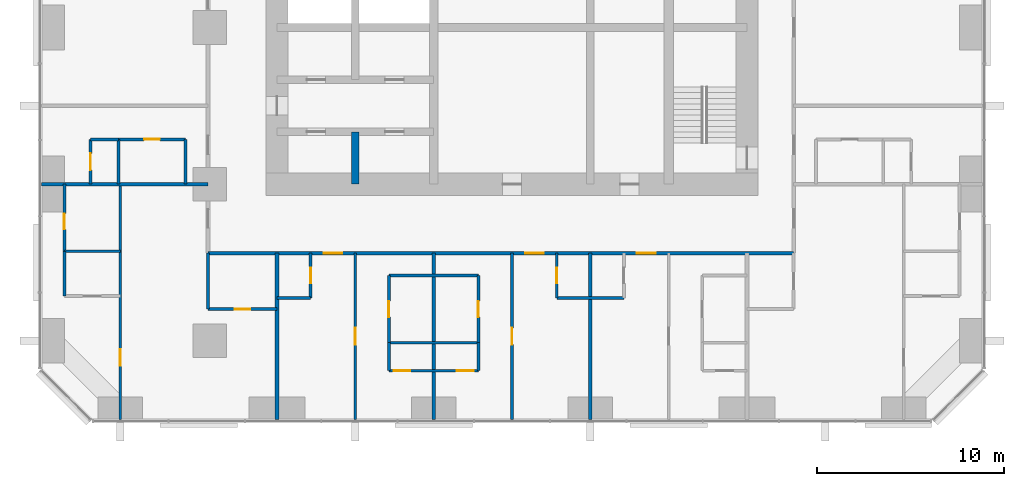
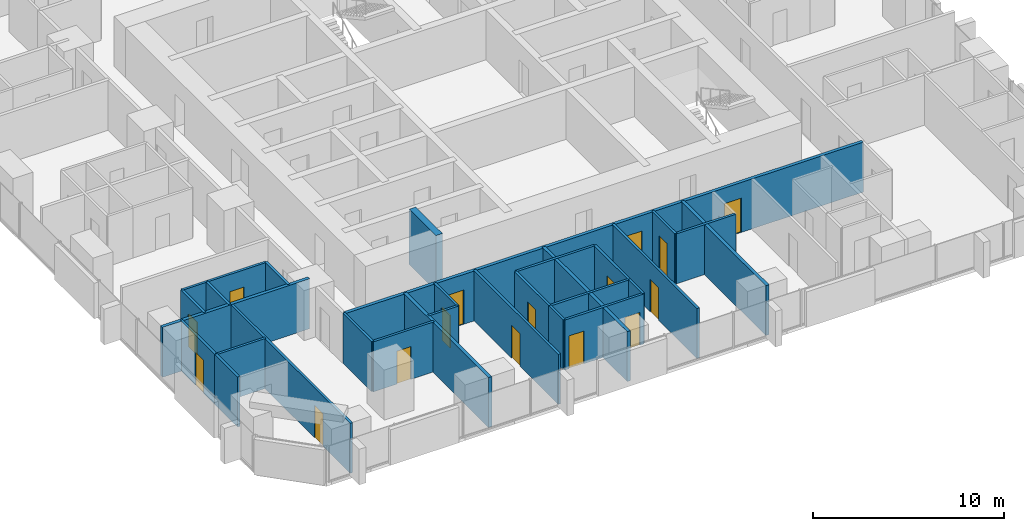
# One storey, part 8 of 13: 30 walls, 16 doors, 16 openings.
"""IFC4 building model written with IfcOpenShell, lengths in metres."""

from ifc_helpers import new_model, si_unit, direction, frame, frame_2d, origin, place, context, subcontext, project, spatial, rectangle, extrude, material, layer, layer_set, type_object, element, fill, save


model = new_model("IFC4")

# Units and contexts
model_context = context("Model", 3, precision=1e-05, world=origin(), true_north=direction((0.0, 1.0)))
body_context = subcontext(model_context, "Body", "Model", "MODEL_VIEW")
ifc_project = project(units=[si_unit("LENGTHUNIT", "METRE"), si_unit("AREAUNIT", "SQUARE_METRE"), si_unit("VOLUMEUNIT", "CUBIC_METRE"), si_unit("PLANEANGLEUNIT", "RADIAN"), si_unit("MASSUNIT", "GRAM", prefix="KILO")], contexts=[model_context])

# Site, building, storey
site_placement = place(None, origin())
site = spatial("IfcSite", under=ifc_project, at=site_placement, CompositionType="ELEMENT")
building_placement = place(site_placement, origin())
building = spatial("IfcBuilding", under=site, at=building_placement, Name="Dunama Terrace Hotel", CompositionType="ELEMENT")
storey_placement = place(building_placement, frame((0.0, 0.0, 216.60009765625)))
storey = spatial("IfcBuildingStorey", under=building, at=storey_placement, Name="L56", CompositionType="ELEMENT", Elevation=216.60009765625)

# Wall, opening, door
ifc_material_1 = material(Name="Gypsum board partition", Category="masonry")
ifc_layer_1 = layer(ifc_material_1, 0.14990234375)
ifc_layer_set_1 = layer_set([ifc_layer_1], Name="Bathroom partition 150")
wall_type_1 = type_object("IfcWallType", Name="Bathroom partition 150", PredefinedType="PARTITIONING", material=ifc_layer_set_1)
wall_1_placement = place(storey_placement, frame((5.39990234375, 13.199951171875, 0.0), z_axis=(0.0, 0.0, 1.0), x_axis=(0.0, 1.0, 0.0)))
wall_1 = element("IfcWall", 1, at=wall_1_placement, inside=storey, type_object=wall_type_1, Name="Bathroom partition 150 L56", PredefinedType="PARTITIONING", context=body_context, shape_type="SweptSolid", body=[
    extrude(rectangle(XDim=3.60009765625, YDim=0.14990234375, at=frame_2d((1.800048828125, 0.0))), origin(), (0.0, 0.0, 1.0), 3.199951171875),
])
opening_1_placement = place(wall_1_placement, frame((1.175048828125, 0.0, 0.0)))
opening_1 = element("IfcOpeningElement", 2, at=opening_1_placement, cuts=wall_1, Name="Opening L56-051", PredefinedType="OPENING", context=body_context, shape_type="SweptSolid", body=[
    extrude(rectangle(XDim=0.85009765625, YDim=2.10009765625, at=frame_2d((0.425048828125, 1.050048828125))), frame((0.0, 0.0849609375, 0.0), z_axis=(0.0, -1.0, 0.0), x_axis=(1.0, 0.0, 0.0)), (0.0, 0.0, 1.0), 0.169921875),
])
ifc_material_2 = material(Name="Timber door with steel frame", Category="steel")
door_type_1 = type_object("IfcDoorType", Name="Bathroom door 850", OperationType="SINGLE_SWING_LEFT", PredefinedType="DOOR", material=ifc_material_2)
door_1_placement = place(opening_1_placement, frame((0.85009765625, 0.0, 0.0), z_axis=(0.0, 0.0, 1.0), x_axis=(-1.0, 0.0, 0.0)))
door_1 = element("IfcDoor", 3, at=door_1_placement, inside=storey, type_object=door_type_1, Name="Door to en-suite bathroom L56-051, type D2", OperationType="SINGLE_SWING_LEFT", OverallHeight=2.10009765625, OverallWidth=0.85009765625, PredefinedType="DOOR", context=body_context, shape_type="SweptSolid", body=[
    extrude(rectangle(XDim=0.85009765625, YDim=2.10009765625, at=frame_2d((0.425048828125, 1.050048828125))), frame((0.0, 0.025146484375, 0.0), z_axis=(0.0, -1.0, 0.0), x_axis=(1.0, 0.0, 0.0)), (0.0, 0.0, 1.0), 0.050048828125),
])
fill(opening_1, door_1)

# Walls
wall_2_placement = place(storey_placement, frame((11.89990234375, 16.800048828125, 0.0), z_axis=(0.0, 0.0, 1.0), x_axis=(0.0, 1.0, 0.0)))
element("IfcWall", 4, at=wall_2_placement, inside=storey, type_object=wall_type_1, Name="Bathroom partition 150 L56", PredefinedType="PARTITIONING", context=body_context, shape_type="SweptSolid", body=[
    extrude(rectangle(XDim=2.39990234375, YDim=0.14990234375, at=frame_2d((1.199951171875, 0.0))), origin(), (0.0, 0.0, 1.0), 3.199951171875),
])
wall_3_placement = place(storey_placement, frame((13.10009765625, 10.10009765625, 0.0), z_axis=(0.0, 0.0, 1.0), x_axis=(0.0, 1.0, 0.0)))
element("IfcWall", 5, at=wall_3_placement, inside=storey, type_object=wall_type_1, Name="Bathroom partition 150 L56", PredefinedType="PARTITIONING", context=body_context, shape_type="SweptSolid", body=[
    extrude(rectangle(XDim=3.0, YDim=0.14990234375, at=frame_2d((1.5, 0.0))), origin(), (0.0, 0.0, 1.0), 3.199951171875),
])

# Wall, opening, door
wall_4_placement = place(storey_placement, frame((18.60009765625, 10.699951171875, 0.0), z_axis=(0.0, 0.0, 1.0), x_axis=(0.0, 1.0, 0.0)))
wall_4 = element("IfcWall", 6, at=wall_4_placement, inside=storey, type_object=wall_type_1, Name="Bathroom partition 150 L56", PredefinedType="PARTITIONING", context=body_context, shape_type="SweptSolid", body=[
    extrude(rectangle(XDim=2.400146484375, YDim=0.14990234375, at=frame_2d((1.2001953125, 0.0))), origin(), (0.0, 0.0, 1.0), 3.199951171875),
])
opening_2_placement = place(wall_4_placement, frame((0.77490234375, 0.0, 0.0)))
opening_2 = element("IfcOpeningElement", 7, at=opening_2_placement, cuts=wall_4, Name="Opening L56-010", PredefinedType="OPENING", context=body_context, shape_type="SweptSolid", body=[
    extrude(rectangle(XDim=0.85009765625, YDim=2.10009765625, at=frame_2d((0.425048828125, 1.050048828125))), frame((0.0, 0.0849609375, 0.0), z_axis=(0.0, -1.0, 0.0), x_axis=(1.0, 0.0, 0.0)), (0.0, 0.0, 1.0), 0.169921875),
])
door_2_placement = place(opening_2_placement, origin())
door_2 = element("IfcDoor", 8, at=door_2_placement, inside=storey, type_object=door_type_1, Name="Door to powder room L56-010, type D2", OperationType="SINGLE_SWING_RIGHT", OverallHeight=2.10009765625, OverallWidth=0.85009765625, PredefinedType="DOOR", context=body_context, shape_type="SweptSolid", body=[
    extrude(rectangle(XDim=0.85009765625, YDim=2.10009765625, at=frame_2d((0.425048828125, 1.050048828125))), frame((0.0, 0.02490234375, 0.0), z_axis=(0.0, -1.0, 0.0), x_axis=(1.0, 0.0, 0.0)), (0.0, 0.0, 1.0), 0.050048828125),
])
fill(opening_2, door_2)

wall_5_placement = place(storey_placement, frame((22.800048828125, 8.300048828125, 0.0), z_axis=(0.0, 0.0, 1.0), x_axis=(0.0, 1.0, 0.0)))
wall_5 = element("IfcWall", 9, at=wall_5_placement, inside=storey, type_object=wall_type_1, Name="Bathroom partition 150 L56", PredefinedType="PARTITIONING", context=body_context, shape_type="SweptSolid", body=[
    extrude(rectangle(XDim=3.599853515625, YDim=0.14990234375, at=frame_2d((1.7998046875, 0.0))), origin(), (0.0, 0.0, 1.0), 3.199951171875),
])
opening_3_placement = place(wall_5_placement, frame((1.375, 0.0, 0.0)))
opening_3 = element("IfcOpeningElement", 10, at=opening_3_placement, cuts=wall_5, Name="Opening L56-012", PredefinedType="OPENING", context=body_context, shape_type="SweptSolid", body=[
    extrude(rectangle(XDim=0.85009765625, YDim=2.10009765625, at=frame_2d((0.425048828125, 1.050048828125))), frame((0.0, 0.0849609375, 0.0), z_axis=(0.0, -1.0, 0.0), x_axis=(1.0, 0.0, 0.0)), (0.0, 0.0, 1.0), 0.169921875),
])
door_3_placement = place(opening_3_placement, frame((0.85009765625, 0.0, 0.0), z_axis=(0.0, 0.0, 1.0), x_axis=(-1.0, 0.0, 0.0)))
door_3 = element("IfcDoor", 11, at=door_3_placement, inside=storey, type_object=door_type_1, Name="Door to en-suite bathroom L56-012, type D2", OperationType="SINGLE_SWING_RIGHT", OverallHeight=2.10009765625, OverallWidth=0.85009765625, PredefinedType="DOOR", context=body_context, shape_type="SweptSolid", body=[
    extrude(rectangle(XDim=0.85009765625, YDim=2.10009765625, at=frame_2d((0.425048828125, 1.050048828125))), frame((0.0, 0.025146484375, 0.0), z_axis=(0.0, -1.0, 0.0), x_axis=(1.0, 0.0, 0.0)), (0.0, 0.0, 1.0), 0.050048828125),
])
fill(opening_3, door_3)

wall_6_placement = place(storey_placement, frame((27.60009765625, 8.300048828125, 0.0), z_axis=(0.0, 0.0, 1.0), x_axis=(0.0, 1.0, 0.0)))
wall_6 = element("IfcWall", 12, at=wall_6_placement, inside=storey, type_object=wall_type_1, Name="Bathroom partition 150 L56", PredefinedType="PARTITIONING", context=body_context, shape_type="SweptSolid", body=[
    extrude(rectangle(XDim=3.599853515625, YDim=0.14990234375, at=frame_2d((1.7998046875, 0.0))), origin(), (0.0, 0.0, 1.0), 3.199951171875),
])
opening_4_placement = place(wall_6_placement, frame((1.375, 0.0, 0.0)))
opening_4 = element("IfcOpeningElement", 13, at=opening_4_placement, cuts=wall_6, Name="Opening L56-017", PredefinedType="OPENING", context=body_context, shape_type="SweptSolid", body=[
    extrude(rectangle(XDim=0.85009765625, YDim=2.10009765625, at=frame_2d((0.425048828125, 1.050048828125))), frame((0.0, 0.0849609375, 0.0), z_axis=(0.0, -1.0, 0.0), x_axis=(1.0, 0.0, 0.0)), (0.0, 0.0, 1.0), 0.169921875),
])
door_4_placement = place(opening_4_placement, origin())
door_4 = element("IfcDoor", 14, at=door_4_placement, inside=storey, type_object=door_type_1, Name="Door to en-suite bathroom L56-017, type D2", OperationType="SINGLE_SWING_LEFT", OverallHeight=2.10009765625, OverallWidth=0.85009765625, PredefinedType="DOOR", context=body_context, shape_type="SweptSolid", body=[
    extrude(rectangle(XDim=0.85009765625, YDim=2.10009765625, at=frame_2d((0.425048828125, 1.050048828125))), frame((0.0, 0.02490234375, 0.0), z_axis=(0.0, -1.0, 0.0), x_axis=(1.0, 0.0, 0.0)), (0.0, 0.0, 1.0), 0.050048828125),
])
fill(opening_4, door_4)

wall_7_placement = place(storey_placement, frame((31.800048828125, 10.699951171875, 0.0), z_axis=(0.0, 0.0, 1.0), x_axis=(0.0, 1.0, 0.0)))
wall_7 = element("IfcWall", 15, at=wall_7_placement, inside=storey, type_object=wall_type_1, Name="Bathroom partition 150 L56", PredefinedType="PARTITIONING", context=body_context, shape_type="SweptSolid", body=[
    extrude(rectangle(XDim=2.400146484375, YDim=0.14990234375, at=frame_2d((1.2001953125, 0.0))), origin(), (0.0, 0.0, 1.0), 3.199951171875),
])
opening_5_placement = place(wall_7_placement, frame((0.77490234375, 0.0, 0.0)))
opening_5 = element("IfcOpeningElement", 16, at=opening_5_placement, cuts=wall_7, Name="Opening L56-015", PredefinedType="OPENING", context=body_context, shape_type="SweptSolid", body=[
    extrude(rectangle(XDim=0.85009765625, YDim=2.10009765625, at=frame_2d((0.425048828125, 1.050048828125))), frame((0.0, 0.0849609375, 0.0), z_axis=(0.0, -1.0, 0.0), x_axis=(1.0, 0.0, 0.0)), (0.0, 0.0, 1.0), 0.169921875),
])
door_5_placement = place(opening_5_placement, frame((0.85009765625, 0.0, 0.0), z_axis=(0.0, 0.0, 1.0), x_axis=(-1.0, 0.0, 0.0)))
door_5 = element("IfcDoor", 17, at=door_5_placement, inside=storey, type_object=door_type_1, Name="Door to powder room L56-015, type D2", OperationType="SINGLE_SWING_LEFT", OverallHeight=2.10009765625, OverallWidth=0.85009765625, PredefinedType="DOOR", context=body_context, shape_type="SweptSolid", body=[
    extrude(rectangle(XDim=0.85009765625, YDim=2.10009765625, at=frame_2d((0.425048828125, 1.050048828125))), frame((0.0, 0.025146484375, 0.0), z_axis=(0.0, -1.0, 0.0), x_axis=(1.0, 0.0, 0.0)), (0.0, 0.0, 1.0), 0.050048828125),
])
fill(opening_5, door_5)

wall_8_placement = place(storey_placement, frame((13.10009765625, 10.10009765625, 0.0), z_axis=(0.0, 0.0, 1.0), x_axis=(1.0, 0.0, 0.0)))
wall_8 = element("IfcWall", 18, at=wall_8_placement, inside=storey, type_object=wall_type_1, Name="Bathroom partition 150 L56", PredefinedType="PARTITIONING", context=body_context, shape_type="SweptSolid", body=[
    extrude(rectangle(XDim=3.699951171875, YDim=0.14990234375, at=frame_2d((1.85009765625, 0.0))), origin(), (0.0, 0.0, 1.0), 3.199951171875),
])
opening_6_placement = place(wall_8_placement, frame((1.425048828125, 0.0, 0.0)))
opening_6 = element("IfcOpeningElement", 19, at=opening_6_placement, cuts=wall_8, Name="Opening L56-049", PredefinedType="OPENING", context=body_context, shape_type="SweptSolid", body=[
    extrude(rectangle(XDim=0.85009765625, YDim=2.10009765625, at=frame_2d((0.425048828125, 1.050048828125))), frame((0.0, 0.0849609375, 0.0), z_axis=(0.0, -1.0, 0.0), x_axis=(1.0, 0.0, 0.0)), (0.0, 0.0, 1.0), 0.169921875),
])
door_6_placement = place(opening_6_placement, origin())
door_6 = element("IfcDoor", 20, at=door_6_placement, inside=storey, type_object=door_type_1, Name="Door to powder room L56-049, type D2", OperationType="SINGLE_SWING_LEFT", OverallHeight=2.10009765625, OverallWidth=0.85009765625, PredefinedType="DOOR", context=body_context, shape_type="SweptSolid", body=[
    extrude(rectangle(XDim=0.85009765625, YDim=2.10009765625, at=frame_2d((0.425048828125, 1.050048828125))), frame((0.0, 0.02490234375, 0.0), z_axis=(0.0, -1.0, 0.0), x_axis=(1.0, 0.0, 0.0)), (0.0, 0.0, 1.0), 0.050048828125),
])
fill(opening_6, door_6)

# Walls
wall_9_placement = place(storey_placement, frame((16.800048828125, 10.699951171875, 0.0), z_axis=(0.0, 0.0, 1.0), x_axis=(1.0, 0.0, 0.0)))
element("IfcWall", 21, at=wall_9_placement, inside=storey, type_object=wall_type_1, Name="Bathroom partition 150 L56", PredefinedType="PARTITIONING", context=body_context, shape_type="SweptSolid", body=[
    extrude(rectangle(XDim=1.800048828125, YDim=0.14990234375, at=frame_2d((0.89990234375, 0.0))), origin(), (0.0, 0.0, 1.0), 3.199951171875),
])
wall_10_placement = place(storey_placement, frame((31.800048828125, 10.699951171875, 0.0), z_axis=(0.0, 0.0, 1.0), x_axis=(1.0, 0.0, 0.0)))
element("IfcWall", 22, at=wall_10_placement, inside=storey, type_object=wall_type_1, Name="Bathroom partition 150 L56", PredefinedType="PARTITIONING", context=body_context, shape_type="SweptSolid", body=[
    extrude(rectangle(XDim=3.599853515625, YDim=0.14990234375, at=frame_2d((1.7998046875, 0.0))), origin(), (0.0, 0.0, 1.0), 3.199951171875),
])
wall_11_placement = place(storey_placement, frame((22.800048828125, 11.89990234375, 0.0), z_axis=(0.0, 0.0, 1.0), x_axis=(1.0, 0.0, 0.0)))
element("IfcWall", 23, at=wall_11_placement, inside=storey, type_object=wall_type_1, Name="Bathroom partition 150 L56", PredefinedType="PARTITIONING", context=body_context, shape_type="SweptSolid", body=[
    extrude(rectangle(XDim=4.800048828125, YDim=0.14990234375, at=frame_2d((2.39990234375, 0.0))), origin(), (0.0, 0.0, 1.0), 3.199951171875),
])

# Wall, opening, door
wall_12_placement = place(storey_placement, frame((8.300048828125, 19.199951171875, 0.0), z_axis=(0.0, 0.0, 1.0), x_axis=(1.0, 0.0, 0.0)))
wall_12 = element("IfcWall", 24, at=wall_12_placement, inside=storey, type_object=wall_type_1, Name="Bathroom partition 150 L56", PredefinedType="PARTITIONING", context=body_context, shape_type="SweptSolid", body=[
    extrude(rectangle(XDim=3.599853515625, YDim=0.14990234375, at=frame_2d((1.7998046875, 0.0))), origin(), (0.0, 0.0, 1.0), 3.199951171875),
])
opening_7_placement = place(wall_12_placement, frame((1.375, 0.0, 0.0)))
opening_7 = element("IfcOpeningElement", 25, at=opening_7_placement, cuts=wall_12, Name="Opening L56-037", PredefinedType="OPENING", context=body_context, shape_type="SweptSolid", body=[
    extrude(rectangle(XDim=0.85009765625, YDim=2.10009765625, at=frame_2d((0.425048828125, 1.050048828125))), frame((0.0, 0.0849609375, 0.0), z_axis=(0.0, -1.0, 0.0), x_axis=(1.0, 0.0, 0.0)), (0.0, 0.0, 1.0), 0.169921875),
])
door_7_placement = place(opening_7_placement, frame((0.85009765625, 0.0, 0.0), z_axis=(0.0, 0.0, 1.0), x_axis=(-1.0, 0.0, 0.0)))
door_7 = element("IfcDoor", 26, at=door_7_placement, inside=storey, type_object=door_type_1, Name="Door to en-suite bathroom L56-037, type D2", OperationType="SINGLE_SWING_RIGHT", OverallHeight=2.10009765625, OverallWidth=0.85009765625, PredefinedType="DOOR", context=body_context, shape_type="SweptSolid", body=[
    extrude(rectangle(XDim=0.85009765625, YDim=2.10009765625, at=frame_2d((0.425048828125, 1.050048828125))), frame((0.0, 0.025146484375, 0.0), z_axis=(0.0, -1.0, 0.0), x_axis=(1.0, 0.0, 0.0)), (0.0, 0.0, 1.0), 0.050048828125),
])
fill(opening_7, door_7)

# Wall
ifc_material_3 = material(Name="Concrete C50/60", Category="concrete")
ifc_layer_2 = layer(ifc_material_3, 0.39990234375)
ifc_layer_set_2 = layer_set([ifc_layer_2], Name="Core inner wall 400")
wall_type_2 = type_object("IfcWallType", Name="Core inner wall 400", PredefinedType="SHEAR", material=ifc_layer_set_2)
wall_13_placement = place(storey_placement, frame((21.0, 16.800048828125, -0.35009765625), z_axis=(0.0, 0.0, 1.0), x_axis=(0.0, 1.0, 0.0)))
element("IfcWall", 27, at=wall_13_placement, inside=storey, type_object=wall_type_2, Name="Core inner wall 400 L56", PredefinedType="SHEAR", context=body_context, shape_type="SweptSolid", body=[
    extrude(rectangle(XDim=2.800048828125, YDim=0.39990234375, at=frame_2d((1.39990234375, 0.0))), origin(), (0.0, 0.0, 1.0), 3.550048828125),
])

# Wall, openings, doors
ifc_material_4 = material(Name="Concrete blockwork", Category="masonry")
ifc_layer_3 = layer(ifc_material_4, 0.199951171875)
ifc_layer_set_3 = layer_set([ifc_layer_3], Name="Corridor partition 200")
wall_type_3 = type_object("IfcWallType", Name="Corridor partition 200", PredefinedType="PARTITIONING", material=ifc_layer_set_3)
wall_14_placement = place(storey_placement, frame((44.5, 13.10009765625, 0.0), z_axis=(0.0, 0.0, 1.0), x_axis=(-1.0, 0.0, 0.0)))
wall_14 = element("IfcWall", 28, at=wall_14_placement, inside=storey, type_object=wall_type_3, Name="Corridor partition 200 L56", PredefinedType="PARTITIONING", context=body_context, shape_type="SweptSolid", body=[
    extrude(rectangle(XDim=31.39990234375, YDim=0.199951171875, at=frame_2d((15.699951171875, 0.0))), origin(), (0.0, 0.0, 1.0), 3.199951171875),
])
opening_8_placement = place(wall_14_placement, frame((24.199951171875, 0.0, 0.0)))
opening_8 = element("IfcOpeningElement", 29, at=opening_8_placement, cuts=wall_14, Name="Opening L56-009", PredefinedType="OPENING", context=body_context, shape_type="SweptSolid", body=[
    extrude(rectangle(XDim=1.0, YDim=2.199951171875, at=frame_2d((0.5, 1.10009765625))), frame((0.0, 0.10986328125, 0.0), z_axis=(0.0, -1.0, 0.0), x_axis=(1.0, 0.0, 0.0)), (0.0, 0.0, 1.0), 0.219970703125),
])
opening_9_placement = place(wall_14_placement, frame((13.39990234375, 0.0, 0.0)))
opening_9 = element("IfcOpeningElement", 30, at=opening_9_placement, cuts=wall_14, Name="Opening L56-014", PredefinedType="OPENING", context=body_context, shape_type="SweptSolid", body=[
    extrude(rectangle(XDim=1.0, YDim=2.199951171875, at=frame_2d((0.5, 1.10009765625))), frame((0.0, 0.10986328125, 0.0), z_axis=(0.0, -1.0, 0.0), x_axis=(1.0, 0.0, 0.0)), (0.0, 0.0, 1.0), 0.219970703125),
])
opening_10_placement = place(wall_14_placement, frame((7.39990234375, 0.0, 0.0)))
opening_10 = element("IfcOpeningElement", 31, at=opening_10_placement, cuts=wall_14, Name="Opening L56-019", PredefinedType="OPENING", context=body_context, shape_type="SweptSolid", body=[
    extrude(rectangle(XDim=1.0, YDim=2.199951171875, at=frame_2d((0.5, 1.10009765625))), frame((0.0, 0.10986328125, 0.0), z_axis=(0.0, -1.0, 0.0), x_axis=(1.0, 0.0, 0.0)), (0.0, 0.0, 1.0), 0.219970703125),
])
ifc_material_5 = material(Name="Timber door with steel frame", Category="steel")
door_type_2 = type_object("IfcDoorType", Name="Guest room door 1000", OperationType="SINGLE_SWING_LEFT", PredefinedType="DOOR", material=ifc_material_5)
door_8_placement = place(opening_8_placement, origin())
door_8 = element("IfcDoor", 32, at=door_8_placement, inside=storey, type_object=door_type_2, Name="Door to executive club suite living room L56-009, type D1", OperationType="SINGLE_SWING_LEFT", OverallHeight=2.199951171875, OverallWidth=1.0, PredefinedType="DOOR", context=body_context, shape_type="SweptSolid", body=[
    extrude(rectangle(XDim=1.0, YDim=2.199951171875, at=frame_2d((0.5, 1.10009765625))), frame((0.0, 0.02490234375, 0.0), z_axis=(0.0, -1.0, 0.0), x_axis=(1.0, 0.0, 0.0)), (0.0, 0.0, 1.0), 0.050048828125),
])
fill(opening_8, door_8)
door_9_placement = place(opening_9_placement, origin())
door_9 = element("IfcDoor", 33, at=door_9_placement, inside=storey, type_object=door_type_2, Name="Door to executive club suite living room L56-014, type D1", OperationType="SINGLE_SWING_LEFT", OverallHeight=2.199951171875, OverallWidth=1.0, PredefinedType="DOOR", context=body_context, shape_type="SweptSolid", body=[
    extrude(rectangle(XDim=1.0, YDim=2.199951171875, at=frame_2d((0.5, 1.10009765625))), frame((0.0, 0.02490234375, 0.0), z_axis=(0.0, -1.0, 0.0), x_axis=(1.0, 0.0, 0.0)), (0.0, 0.0, 1.0), 0.050048828125),
])
fill(opening_9, door_9)
door_10_placement = place(opening_10_placement, origin())
door_10 = element("IfcDoor", 34, at=door_10_placement, inside=storey, type_object=door_type_2, Name="Door to executive club suite living room L56-019, type D1", OperationType="SINGLE_SWING_LEFT", OverallHeight=2.199951171875, OverallWidth=1.0, PredefinedType="DOOR", context=body_context, shape_type="SweptSolid", body=[
    extrude(rectangle(XDim=1.0, YDim=2.199951171875, at=frame_2d((0.5, 1.10009765625))), frame((0.0, 0.02490234375, 0.0), z_axis=(0.0, -1.0, 0.0), x_axis=(1.0, 0.0, 0.0)), (0.0, 0.0, 1.0), 0.050048828125),
])
fill(opening_10, door_10)

# Walls
ifc_material_6 = material(Name="Concrete blockwork", Category="masonry")
ifc_layer_4 = layer(ifc_material_6, 0.199951171875)
ifc_layer_set_4 = layer_set([ifc_layer_4], Name="Party wall 200")
wall_type_4 = type_object("IfcWallType", Name="Party wall 200", PredefinedType="PARTITIONING", material=ifc_layer_set_4)
for number, where, z_axis, x_axis, name in (
    (35, (16.800048828125, 4.181884765625, 0.0), (0.0, 0.0, 1.0), (0.0, 1.0, 0.0), "Party wall 200 L56"),
    (36, (25.199951171875, 4.181884765625, 0.0), (0.0, 0.0, 1.0), (0.0, 1.0, 0.0), "Party wall 200 L56"),
    (37, (33.60009765625, 4.181884765625, 0.0), (0.0, 0.0, 1.0), (0.0, 1.0, 0.0), "Party wall 200 L56"),
    (38, (4.181884765625, 16.800048828125, 0.0), (0.0, 0.0, 1.0), (1.0, 0.0, 0.0), "Party wall 200 L56"),
):
    element("IfcWall", number, at=place(storey_placement, frame(where, z_axis=z_axis, x_axis=x_axis)), inside=storey, type_object=wall_type_4, Name=name, PredefinedType="PARTITIONING", context=body_context, shape_type="SweptSolid", body=[
        extrude(rectangle(XDim=8.918212890625, YDim=0.199951171875, at=frame_2d((4.458984375, 0.0))), origin(), (0.0, 0.0, 1.0), 3.199951171875),
    ])
ifc_material_7 = material(Name="Gypsum board partition", Category="masonry")
ifc_layer_5 = layer(ifc_material_7, 0.14990234375)
ifc_layer_set_5 = layer_set([ifc_layer_5], Name="Room partition 150")
wall_type_5 = type_object("IfcWallType", Name="Room partition 150", PredefinedType="PARTITIONING", material=ifc_layer_set_5)
wall_15_placement = place(storey_placement, frame((5.39990234375, 10.800048828125, 0.0), z_axis=(0.0, 0.0, 1.0), x_axis=(0.0, 1.0, 0.0)))
element("IfcWall", 39, at=wall_15_placement, inside=storey, type_object=wall_type_5, Name="Room partition 150 L56", PredefinedType="PARTITIONING", context=body_context, shape_type="SweptSolid", body=[
    extrude(rectangle(XDim=2.39990234375, YDim=0.14990234375, at=frame_2d((1.199951171875, 0.0))), origin(), (0.0, 0.0, 1.0), 3.199951171875),
])

# Wall, opening, door
wall_16_placement = place(storey_placement, frame((6.800048828125, 16.800048828125, 0.0), z_axis=(0.0, 0.0, 1.0), x_axis=(0.0, 1.0, 0.0)))
wall_16 = element("IfcWall", 40, at=wall_16_placement, inside=storey, type_object=wall_type_5, Name="Room partition 150 L56", PredefinedType="PARTITIONING", context=body_context, shape_type="SweptSolid", body=[
    extrude(rectangle(XDim=2.39990234375, YDim=0.14990234375, at=frame_2d((1.199951171875, 0.0))), origin(), (0.0, 0.0, 1.0), 3.199951171875),
])
opening_11_placement = place(wall_16_placement, frame((0.75, 0.0, 0.0)))
opening_11 = element("IfcOpeningElement", 41, at=opening_11_placement, cuts=wall_16, Name="Opening L56-038", PredefinedType="OPENING", context=body_context, shape_type="SweptSolid", body=[
    extrude(rectangle(XDim=0.89990234375, YDim=2.10009765625, at=frame_2d((0.449951171875, 1.050048828125))), frame((0.0, 0.0849609375, 0.0), z_axis=(0.0, -1.0, 0.0), x_axis=(1.0, 0.0, 0.0)), (0.0, 0.0, 1.0), 0.169921875),
])
ifc_material_8 = material(Name="Timber door with steel frame", Category="steel")
door_type_3 = type_object("IfcDoorType", Name="Suite internal door 900", OperationType="SINGLE_SWING_LEFT", PredefinedType="DOOR", material=ifc_material_8)
door_11_placement = place(opening_11_placement, frame((0.89990234375, 0.0, 0.0), z_axis=(0.0, 0.0, 1.0), x_axis=(-1.0, 0.0, 0.0)))
door_11 = element("IfcDoor", 42, at=door_11_placement, inside=storey, type_object=door_type_3, Name="Door to walk-in wardrobe L56-038, type D16", OperationType="SINGLE_SWING_RIGHT", OverallHeight=2.10009765625, OverallWidth=0.89990234375, PredefinedType="DOOR", context=body_context, shape_type="SweptSolid", body=[
    extrude(rectangle(XDim=0.89990234375, YDim=2.10009765625, at=frame_2d((0.449951171875, 1.050048828125))), frame((0.0, 0.025146484375, 0.0), z_axis=(0.0, -1.0, 0.0), x_axis=(1.0, 0.0, 0.0)), (0.0, 0.0, 1.0), 0.050048828125),
])
fill(opening_11, door_11)

# Wall
wall_17_placement = place(storey_placement, frame((8.300048828125, 16.800048828125, 0.0), z_axis=(0.0, 0.0, 1.0), x_axis=(0.0, 1.0, 0.0)))
element("IfcWall", 43, at=wall_17_placement, inside=storey, type_object=wall_type_5, Name="Room partition 150 L56", PredefinedType="PARTITIONING", context=body_context, shape_type="SweptSolid", body=[
    extrude(rectangle(XDim=2.39990234375, YDim=0.14990234375, at=frame_2d((1.199951171875, 0.0))), origin(), (0.0, 0.0, 1.0), 3.199951171875),
])

# Wall, opening, door
wall_18_placement = place(storey_placement, frame((8.39990234375, 4.181884765625, 0.0), z_axis=(0.0, 0.0, 1.0), x_axis=(0.0, 1.0, 0.0)))
wall_18 = element("IfcWall", 44, at=wall_18_placement, inside=storey, type_object=wall_type_5, Name="Room partition 150 L56", PredefinedType="PARTITIONING", context=body_context, shape_type="SweptSolid", body=[
    extrude(rectangle(XDim=12.6181640625, YDim=0.14990234375, at=frame_2d((6.30908203125, 0.0))), origin(), (0.0, 0.0, 1.0), 3.199951171875),
])
opening_12_placement = place(wall_18_placement, frame((2.867919921875, 0.0, 0.0)))
opening_12 = element("IfcOpeningElement", 45, at=opening_12_placement, cuts=wall_18, Name="Opening L56-050", PredefinedType="OPENING", context=body_context, shape_type="SweptSolid", body=[
    extrude(rectangle(XDim=0.89990234375, YDim=2.10009765625, at=frame_2d((0.449951171875, 1.050048828125))), frame((0.0, 0.0849609375, 0.0), z_axis=(0.0, -1.0, 0.0), x_axis=(1.0, 0.0, 0.0)), (0.0, 0.0, 1.0), 0.169921875),
])
door_12_placement = place(opening_12_placement, origin())
door_12 = element("IfcDoor", 46, at=door_12_placement, inside=storey, type_object=door_type_3, Name="Door to corner suite bedroom L56-050, type D16", OperationType="SINGLE_SWING_LEFT", OverallHeight=2.10009765625, OverallWidth=0.89990234375, PredefinedType="DOOR", context=body_context, shape_type="SweptSolid", body=[
    extrude(rectangle(XDim=0.89990234375, YDim=2.10009765625, at=frame_2d((0.449951171875, 1.050048828125))), frame((0.0, 0.02490234375, 0.0), z_axis=(0.0, -1.0, 0.0), x_axis=(1.0, 0.0, 0.0)), (0.0, 0.0, 1.0), 0.050048828125),
])
fill(opening_12, door_12)

wall_19_placement = place(storey_placement, frame((21.0, 4.181884765625, 0.0), z_axis=(0.0, 0.0, 1.0), x_axis=(0.0, 1.0, 0.0)))
wall_19 = element("IfcWall", 47, at=wall_19_placement, inside=storey, type_object=wall_type_5, Name="Room partition 150 L56", PredefinedType="PARTITIONING", context=body_context, shape_type="SweptSolid", body=[
    extrude(rectangle(XDim=8.918212890625, YDim=0.14990234375, at=frame_2d((4.458984375, 0.0))), origin(), (0.0, 0.0, 1.0), 3.199951171875),
])
opening_13_placement = place(wall_19_placement, frame((4.01806640625, 0.0, 0.0)))
opening_13 = element("IfcOpeningElement", 48, at=opening_13_placement, cuts=wall_19, Name="Opening L56-011", PredefinedType="OPENING", context=body_context, shape_type="SweptSolid", body=[
    extrude(rectangle(XDim=0.89990234375, YDim=2.10009765625, at=frame_2d((0.449951171875, 1.050048828125))), frame((0.0, 0.0849609375, 0.0), z_axis=(0.0, -1.0, 0.0), x_axis=(1.0, 0.0, 0.0)), (0.0, 0.0, 1.0), 0.169921875),
])
door_13_placement = place(opening_13_placement, frame((0.89990234375, 0.0, 0.0), z_axis=(0.0, 0.0, 1.0), x_axis=(-1.0, 0.0, 0.0)))
door_13 = element("IfcDoor", 49, at=door_13_placement, inside=storey, type_object=door_type_3, Name="Door to executive club suite bedroom L56-011, type D16", OperationType="SINGLE_SWING_RIGHT", OverallHeight=2.10009765625, OverallWidth=0.89990234375, PredefinedType="DOOR", context=body_context, shape_type="SweptSolid", body=[
    extrude(rectangle(XDim=0.89990234375, YDim=2.10009765625, at=frame_2d((0.449951171875, 1.050048828125))), frame((0.0, 0.025146484375, 0.0), z_axis=(0.0, -1.0, 0.0), x_axis=(1.0, 0.0, 0.0)), (0.0, 0.0, 1.0), 0.050048828125),
])
fill(opening_13, door_13)

# Walls
for number, where, z_axis, x_axis, name in (
    (50, (22.800048828125, 6.800048828125, 0.0), (0.0, 0.0, 1.0), (0.0, 1.0, 0.0), "Room partition 150 L56"),
    (51, (27.60009765625, 6.800048828125, 0.0), (0.0, 0.0, 1.0), (0.0, 1.0, 0.0), "Room partition 150 L56"),
):
    element("IfcWall", number, at=place(storey_placement, frame(where, z_axis=z_axis, x_axis=x_axis)), inside=storey, type_object=wall_type_5, Name=name, PredefinedType="PARTITIONING", context=body_context, shape_type="SweptSolid", body=[
        extrude(rectangle(XDim=1.5, YDim=0.14990234375, at=frame_2d((0.75, 0.0))), origin(), (0.0, 0.0, 1.0), 3.199951171875),
    ])

# Wall, opening, door
wall_20_placement = place(storey_placement, frame((29.39990234375, 4.181884765625, 0.0), z_axis=(0.0, 0.0, 1.0), x_axis=(0.0, 1.0, 0.0)))
wall_20 = element("IfcWall", 52, at=wall_20_placement, inside=storey, type_object=wall_type_5, Name="Room partition 150 L56", PredefinedType="PARTITIONING", context=body_context, shape_type="SweptSolid", body=[
    extrude(rectangle(XDim=8.918212890625, YDim=0.14990234375, at=frame_2d((4.458984375, 0.0))), origin(), (0.0, 0.0, 1.0), 3.199951171875),
])
opening_14_placement = place(wall_20_placement, frame((4.01806640625, 0.0, 0.0)))
opening_14 = element("IfcOpeningElement", 53, at=opening_14_placement, cuts=wall_20, Name="Opening L56-016", PredefinedType="OPENING", context=body_context, shape_type="SweptSolid", body=[
    extrude(rectangle(XDim=0.89990234375, YDim=2.10009765625, at=frame_2d((0.449951171875, 1.050048828125))), frame((0.0, 0.0849609375, 0.0), z_axis=(0.0, -1.0, 0.0), x_axis=(1.0, 0.0, 0.0)), (0.0, 0.0, 1.0), 0.169921875),
])
door_14_placement = place(opening_14_placement, origin())
door_14 = element("IfcDoor", 54, at=door_14_placement, inside=storey, type_object=door_type_3, Name="Door to executive club suite bedroom L56-016, type D16", OperationType="SINGLE_SWING_LEFT", OverallHeight=2.10009765625, OverallWidth=0.89990234375, PredefinedType="DOOR", context=body_context, shape_type="SweptSolid", body=[
    extrude(rectangle(XDim=0.89990234375, YDim=2.10009765625, at=frame_2d((0.449951171875, 1.050048828125))), frame((0.0, 0.02490234375, 0.0), z_axis=(0.0, -1.0, 0.0), x_axis=(1.0, 0.0, 0.0)), (0.0, 0.0, 1.0), 0.050048828125),
])
fill(opening_14, door_14)

# Wall, openings, doors
wall_21_placement = place(storey_placement, frame((22.800048828125, 6.800048828125, 0.0), z_axis=(0.0, 0.0, 1.0), x_axis=(1.0, 0.0, 0.0)))
wall_21 = element("IfcWall", 55, at=wall_21_placement, inside=storey, type_object=wall_type_5, Name="Room partition 150 L56", PredefinedType="PARTITIONING", context=body_context, shape_type="SweptSolid", body=[
    extrude(rectangle(XDim=4.800048828125, YDim=0.14990234375, at=frame_2d((2.39990234375, 0.0))), origin(), (0.0, 0.0, 1.0), 3.199951171875),
])
opening_15_placement = place(wall_21_placement, frame((0.25, 0.0, 0.0)))
opening_15 = element("IfcOpeningElement", 56, at=opening_15_placement, cuts=wall_21, Name="Opening L56-013", PredefinedType="OPENING", context=body_context, shape_type="SweptSolid", body=[
    extrude(rectangle(XDim=0.89990234375, YDim=2.10009765625, at=frame_2d((0.449951171875, 1.050048828125))), frame((0.0, 0.0849609375, 0.0), z_axis=(0.0, -1.0, 0.0), x_axis=(1.0, 0.0, 0.0)), (0.0, 0.0, 1.0), 0.169921875),
])
opening_16_placement = place(wall_21_placement, frame((3.64990234375, 0.0, 0.0)))
opening_16 = element("IfcOpeningElement", 57, at=opening_16_placement, cuts=wall_21, Name="Opening L56-018", PredefinedType="OPENING", context=body_context, shape_type="SweptSolid", body=[
    extrude(rectangle(XDim=0.89990234375, YDim=2.10009765625, at=frame_2d((0.449951171875, 1.050048828125))), frame((0.0, 0.0849609375, 0.0), z_axis=(0.0, -1.0, 0.0), x_axis=(1.0, 0.0, 0.0)), (0.0, 0.0, 1.0), 0.169921875),
])
door_15_placement = place(opening_15_placement, origin())
door_15 = element("IfcDoor", 58, at=door_15_placement, inside=storey, type_object=door_type_3, Name="Door to walk-in wardrobe L56-013, type D16", OperationType="SINGLE_SWING_LEFT", OverallHeight=2.10009765625, OverallWidth=0.89990234375, PredefinedType="DOOR", context=body_context, shape_type="SweptSolid", body=[
    extrude(rectangle(XDim=0.89990234375, YDim=2.10009765625, at=frame_2d((0.449951171875, 1.050048828125))), frame((0.0, 0.02490234375, 0.0), z_axis=(0.0, -1.0, 0.0), x_axis=(1.0, 0.0, 0.0)), (0.0, 0.0, 1.0), 0.050048828125),
])
fill(opening_15, door_15)
door_16_placement = place(opening_16_placement, origin())
door_16 = element("IfcDoor", 59, at=door_16_placement, inside=storey, type_object=door_type_3, Name="Door to walk-in wardrobe L56-018, type D16", OperationType="SINGLE_SWING_RIGHT", OverallHeight=2.10009765625, OverallWidth=0.89990234375, PredefinedType="DOOR", context=body_context, shape_type="SweptSolid", body=[
    extrude(rectangle(XDim=0.89990234375, YDim=2.10009765625, at=frame_2d((0.449951171875, 1.050048828125))), frame((0.0, 0.02490234375, 0.0), z_axis=(0.0, -1.0, 0.0), x_axis=(1.0, 0.0, 0.0)), (0.0, 0.0, 1.0), 0.050048828125),
])
fill(opening_16, door_16)

# Walls
wall_22_placement = place(storey_placement, frame((22.800048828125, 8.300048828125, 0.0), z_axis=(0.0, 0.0, 1.0), x_axis=(1.0, 0.0, 0.0)))
element("IfcWall", 60, at=wall_22_placement, inside=storey, type_object=wall_type_5, Name="Room partition 150 L56", PredefinedType="PARTITIONING", context=body_context, shape_type="SweptSolid", body=[
    extrude(rectangle(XDim=4.800048828125, YDim=0.14990234375, at=frame_2d((2.39990234375, 0.0))), origin(), (0.0, 0.0, 1.0), 3.199951171875),
])
wall_23_placement = place(storey_placement, frame((5.39990234375, 13.199951171875, 0.0), z_axis=(0.0, 0.0, 1.0), x_axis=(1.0, 0.0, 0.0)))
element("IfcWall", 61, at=wall_23_placement, inside=storey, type_object=wall_type_5, Name="Room partition 150 L56", PredefinedType="PARTITIONING", context=body_context, shape_type="SweptSolid", body=[
    extrude(rectangle(XDim=3.0, YDim=0.14990234375, at=frame_2d((1.5, 0.0))), origin(), (0.0, 0.0, 1.0), 3.199951171875),
])
wall_24_placement = place(storey_placement, frame((6.800048828125, 19.199951171875, 0.0), z_axis=(0.0, 0.0, 1.0), x_axis=(1.0, 0.0, 0.0)))
element("IfcWall", 62, at=wall_24_placement, inside=storey, type_object=wall_type_5, Name="Room partition 150 L56", PredefinedType="PARTITIONING", context=body_context, shape_type="SweptSolid", body=[
    extrude(rectangle(XDim=1.5, YDim=0.14990234375, at=frame_2d((0.75, 0.0))), origin(), (0.0, 0.0, 1.0), 3.199951171875),
])

save(model, "model.ifc")
